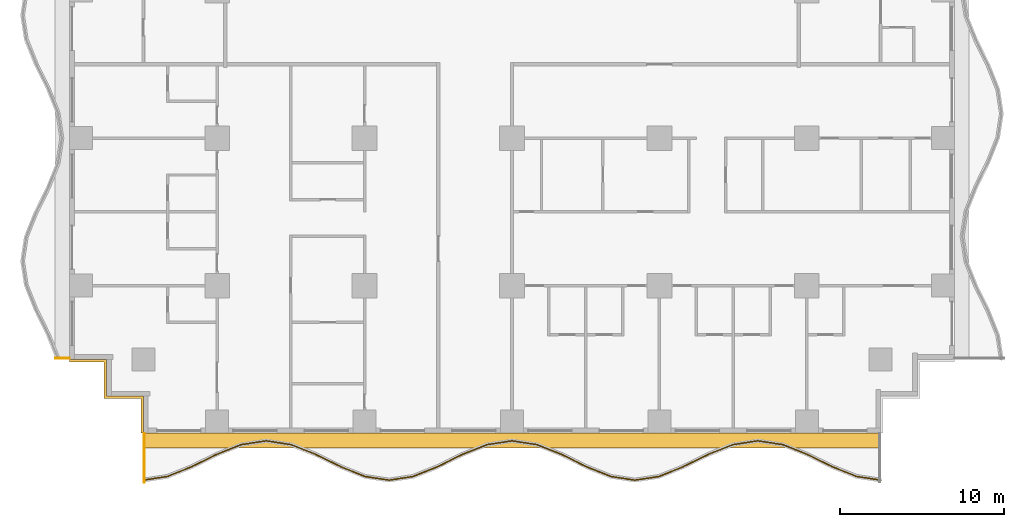
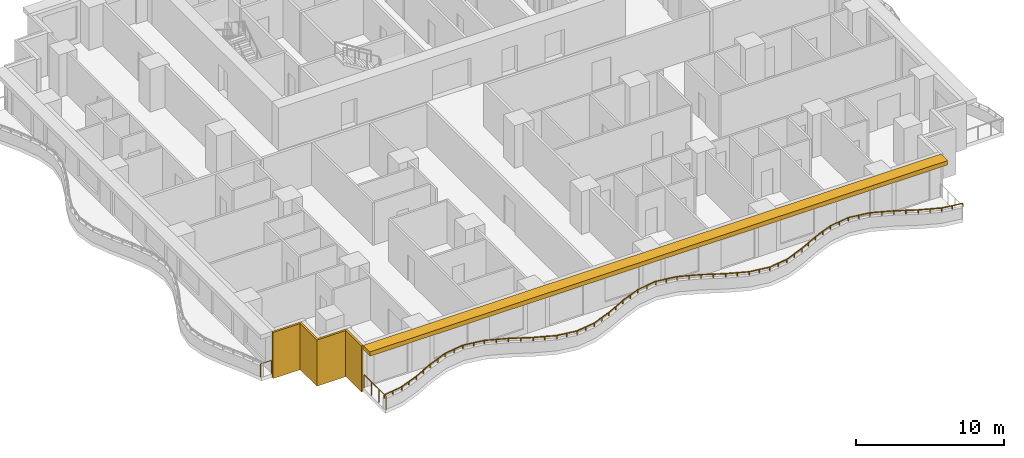
# One storey, part 7 of 13: 3 railings, 2 shading devices.
"""IFC4 building model written with IfcOpenShell, lengths in metres."""

from ifc_helpers import new_model, si_unit, direction, frame, origin, origin_2d, place, context, subcontext, project, spatial, polyline, rectangle, outline, extrude, material, layer, layer_set, type_object, element, save


model = new_model("IFC4")

# Units and contexts
model_context = context("Model", 3, precision=1e-05, world=origin(), true_north=direction((0.0, 1.0)))
body_context = subcontext(model_context, "Body", "Model", "MODEL_VIEW")
ifc_project = project(units=[si_unit("LENGTHUNIT", "METRE"), si_unit("AREAUNIT", "SQUARE_METRE"), si_unit("VOLUMEUNIT", "CUBIC_METRE"), si_unit("PLANEANGLEUNIT", "RADIAN"), si_unit("MASSUNIT", "GRAM", prefix="KILO")], contexts=[model_context])

# Site, building, storey
site_placement = place(None, origin())
site = spatial("IfcSite", under=ifc_project, at=site_placement, CompositionType="ELEMENT")
building_placement = place(site_placement, origin())
building = spatial("IfcBuilding", under=site, at=building_placement, Name="Orbiselva Terraces", CompositionType="ELEMENT")
storey_placement = place(building_placement, frame((0.0, 0.0, 53.0)))
storey = spatial("IfcBuildingStorey", under=building, at=storey_placement, Name="L13", CompositionType="ELEMENT", Elevation=53.0)

# Railings
ifc_material_1 = material(Name="Bonded two-ply safety glass balustrade, stainless steel posts", Category="steel")
railing_type_1 = type_object("IfcRailingType", Name="ENV-BALUSTRADE-1200", PredefinedType="BALUSTRADE", material=ifc_material_1)
railing_1_placement = place(storey_placement, frame((-22.518879, -25.376434, 0.9)))
element("IfcRailing", 1, at=railing_1_placement, inside=storey, type_object=railing_type_1, Name="Balcony balustrade L13 S", PredefinedType="BALUSTRADE", context=body_context, shape_type="SweptSolid", body=[
    extrude(outline(polyline([(0.028868, 0.0), (0.014434, 0.025), (-0.014434, 0.025), (-0.028868, 0.0), (-0.014434, -0.025), (0.014434, -0.025), (0.028868, 0.0)])), frame((0.0, 0.0, 0.275), z_axis=(0.988528552748, 0.151034103443, 0.0), x_axis=(-0.151034103443, 0.988528552748, 0.0)), (0.0, 0.0, 1.0), 1.503038),
    extrude(outline(polyline([(0.028868, 0.0), (0.014434, 0.025), (-0.014434, 0.025), (-0.028868, 0.0), (-0.014434, -0.025), (0.014434, -0.025), (0.028868, 0.0)])), frame((1.485796, 0.22701, 0.275), z_axis=(0.928476561272, 0.371391000387, 0.0), x_axis=(-0.371391000387, 0.928476561272, 0.0)), (0.0, 0.0, 1.0), 1.596261),
    extrude(outline(polyline([(0.028868, 0.0), (0.014434, 0.025), (-0.014434, 0.025), (-0.028868, 0.0), (-0.014434, -0.025), (0.014434, -0.025), (0.028868, 0.0)])), frame((2.967887, 0.819847, 0.275), z_axis=(0.896416672454, 0.443212307306, 0.0), x_axis=(-0.443212307306, 0.896416672454, 0.0)), (0.0, 0.0, 1.0), 1.673329),
    extrude(outline(polyline([(0.028868, 0.0), (0.014434, 0.025), (-0.014434, 0.025), (-0.028868, 0.0), (-0.014434, -0.025), (0.014434, -0.025), (0.028868, 0.0)])), frame((4.467887, 1.561487, 0.275), z_axis=(0.92847681744, 0.371390359967, 0.0), x_axis=(-0.371390359967, 0.92847681744, 0.0)), (0.0, 0.0, 1.0), 1.634838),
    extrude(outline(polyline([(0.028868, 0.0), (0.014434, 0.025), (-0.014434, 0.025), (-0.028868, 0.0), (-0.014434, -0.025), (0.014434, -0.025), (0.028868, 0.0)])), frame((5.985796, 2.16865, 0.275), z_axis=(0.988528536275, 0.151034211256, 0.0), x_axis=(-0.151034211256, 0.988528536275, 0.0)), (0.0, 0.0, 1.0), 1.550874),
    extrude(outline(polyline([(0.028868, 0.0), (0.014434, 0.025), (-0.014434, 0.025), (-0.028868, 0.0), (-0.014434, -0.025), (0.014434, -0.025), (0.028868, 0.0)])), frame((7.518879, 2.402885, 0.275), z_axis=(0.988528536275, -0.151034211256, 0.0), x_axis=(0.151034211256, 0.988528536275, 0.0)), (0.0, 0.0, 1.0), 1.550874),
    extrude(outline(polyline([(0.028868, 0.0), (0.014434, 0.025), (-0.014434, 0.025), (-0.028868, 0.0), (-0.014434, -0.025), (0.014434, -0.025), (0.028868, 0.0)])), frame((9.051962, 2.16865, 0.275), z_axis=(0.92847681744, -0.371390359967, 0.0), x_axis=(0.371390359967, 0.92847681744, 0.0)), (0.0, 0.0, 1.0), 1.634838),
    extrude(outline(polyline([(0.028868, 0.0), (0.014434, 0.025), (-0.014434, 0.025), (-0.028868, 0.0), (-0.014434, -0.025), (0.014434, -0.025), (0.028868, 0.0)])), frame((10.569871, 1.561487, 0.275), z_axis=(0.896416672454, -0.443212307306, 0.0), x_axis=(0.443212307306, 0.896416672454, 0.0)), (0.0, 0.0, 1.0), 1.673329),
    extrude(outline(polyline([(0.028868, 0.0), (0.014434, 0.025), (-0.014434, 0.025), (-0.028868, 0.0), (-0.014434, -0.025), (0.014434, -0.025), (0.028868, 0.0)])), frame((12.069871, 0.819847, 0.275), z_axis=(0.928476561272, -0.371391000387, 0.0), x_axis=(0.371391000387, 0.928476561272, 0.0)), (0.0, 0.0, 1.0), 1.596261),
    extrude(outline(polyline([(0.028868, 0.0), (0.014434, 0.025), (-0.014434, 0.025), (-0.028868, 0.0), (-0.014434, -0.025), (0.014434, -0.025), (0.028868, 0.0)])), frame((13.551962, 0.22701, 0.275), z_axis=(0.988528606898, -0.151033749027, 0.0), x_axis=(0.151033749027, 0.988528606898, 0.0)), (0.0, 0.0, 1.0), 1.48394),
    extrude(outline(polyline([(0.028868, 0.0), (0.014434, 0.025), (-0.014434, 0.025), (-0.028868, 0.0), (-0.014434, -0.025), (0.014434, -0.025), (0.028868, 0.0)])), frame((15.018879, 0.002885, 0.275), z_axis=(0.988528606898, 0.151033749027, 0.0), x_axis=(-0.151033749027, 0.988528606898, 0.0)), (0.0, 0.0, 1.0), 1.48394),
    extrude(outline(polyline([(0.028868, 0.0), (0.014434, 0.025), (-0.014434, 0.025), (-0.028868, 0.0), (-0.014434, -0.025), (0.014434, -0.025), (0.028868, 0.0)])), frame((16.485796, 0.22701, 0.275), z_axis=(0.928476561272, 0.371391000387, 0.0), x_axis=(-0.371391000387, 0.928476561272, 0.0)), (0.0, 0.0, 1.0), 1.596261),
    extrude(outline(polyline([(0.028868, 0.0), (0.014434, 0.025), (-0.014434, 0.025), (-0.028868, 0.0), (-0.014434, -0.025), (0.014434, -0.025), (0.028868, 0.0)])), frame((17.967887, 0.819847, 0.275), z_axis=(0.896416672454, 0.443212307306, 0.0), x_axis=(-0.443212307306, 0.896416672454, 0.0)), (0.0, 0.0, 1.0), 1.673329),
    extrude(outline(polyline([(0.028868, 0.0), (0.014434, 0.025), (-0.014434, 0.025), (-0.028868, 0.0), (-0.014434, -0.025), (0.014434, -0.025), (0.028868, 0.0)])), frame((19.467887, 1.561487, 0.275), z_axis=(0.92847681744, 0.371390359967, 0.0), x_axis=(-0.371390359967, 0.92847681744, 0.0)), (0.0, 0.0, 1.0), 1.634838),
    extrude(outline(polyline([(0.028868, 0.0), (0.014434, 0.025), (-0.014434, 0.025), (-0.028868, 0.0), (-0.014434, -0.025), (0.014434, -0.025), (0.028868, 0.0)])), frame((20.985796, 2.16865, 0.275), z_axis=(0.988528536275, 0.151034211256, 0.0), x_axis=(-0.151034211256, 0.988528536275, 0.0)), (0.0, 0.0, 1.0), 1.550874),
    extrude(outline(polyline([(0.028868, 0.0), (0.014434, 0.025), (-0.014434, 0.025), (-0.028868, 0.0), (-0.014434, -0.025), (0.014434, -0.025), (0.028868, 0.0)])), frame((22.518879, 2.402885, 0.275), z_axis=(0.988528536275, -0.151034211256, 0.0), x_axis=(0.151034211256, 0.988528536275, 0.0)), (0.0, 0.0, 1.0), 1.550874),
    extrude(outline(polyline([(0.028868, 0.0), (0.014434, 0.025), (-0.014434, 0.025), (-0.028868, 0.0), (-0.014434, -0.025), (0.014434, -0.025), (0.028868, 0.0)])), frame((24.051962, 2.16865, 0.275), z_axis=(0.92847681744, -0.371390359967, 0.0), x_axis=(0.371390359967, 0.92847681744, 0.0)), (0.0, 0.0, 1.0), 1.634838),
    extrude(outline(polyline([(0.028868, 0.0), (0.014434, 0.025), (-0.014434, 0.025), (-0.028868, 0.0), (-0.014434, -0.025), (0.014434, -0.025), (0.028868, 0.0)])), frame((25.569871, 1.561487, 0.275), z_axis=(0.896416672454, -0.443212307306, 0.0), x_axis=(0.443212307306, 0.896416672454, 0.0)), (0.0, 0.0, 1.0), 1.673329),
    extrude(outline(polyline([(0.028868, 0.0), (0.014434, 0.025), (-0.014434, 0.025), (-0.028868, 0.0), (-0.014434, -0.025), (0.014434, -0.025), (0.028868, 0.0)])), frame((27.069871, 0.819847, 0.275), z_axis=(0.928476561272, -0.371391000387, 0.0), x_axis=(0.371391000387, 0.928476561272, 0.0)), (0.0, 0.0, 1.0), 1.596261),
    extrude(outline(polyline([(0.028868, 0.0), (0.014434, 0.025), (-0.014434, 0.025), (-0.028868, 0.0), (-0.014434, -0.025), (0.014434, -0.025), (0.028868, 0.0)])), frame((28.551962, 0.22701, 0.275), z_axis=(0.988528606898, -0.151033749027, 0.0), x_axis=(0.151033749027, 0.988528606898, 0.0)), (0.0, 0.0, 1.0), 1.48394),
    extrude(outline(polyline([(0.028868, 0.0), (0.014434, 0.025), (-0.014434, 0.025), (-0.028868, 0.0), (-0.014434, -0.025), (0.014434, -0.025), (0.028868, 0.0)])), frame((30.018879, 0.002885, 0.275), z_axis=(0.988528606898, 0.151033749027, 0.0), x_axis=(-0.151033749027, 0.988528606898, 0.0)), (0.0, 0.0, 1.0), 1.48394),
    extrude(outline(polyline([(0.028868, 0.0), (0.014434, 0.025), (-0.014434, 0.025), (-0.028868, 0.0), (-0.014434, -0.025), (0.014434, -0.025), (0.028868, 0.0)])), frame((31.485796, 0.22701, 0.275), z_axis=(0.928476561272, 0.371391000387, 0.0), x_axis=(-0.371391000387, 0.928476561272, 0.0)), (0.0, 0.0, 1.0), 1.596261),
    extrude(outline(polyline([(0.028868, 0.0), (0.014434, 0.025), (-0.014434, 0.025), (-0.028868, 0.0), (-0.014434, -0.025), (0.014434, -0.025), (0.028868, 0.0)])), frame((32.967887, 0.819847, 0.275), z_axis=(0.896416672454, 0.443212307306, 0.0), x_axis=(-0.443212307306, 0.896416672454, 0.0)), (0.0, 0.0, 1.0), 1.673329),
    extrude(outline(polyline([(0.028868, 0.0), (0.014434, 0.025), (-0.014434, 0.025), (-0.028868, 0.0), (-0.014434, -0.025), (0.014434, -0.025), (0.028868, 0.0)])), frame((34.467887, 1.561487, 0.275), z_axis=(0.92847681744, 0.371390359967, 0.0), x_axis=(-0.371390359967, 0.92847681744, 0.0)), (0.0, 0.0, 1.0), 1.634838),
    extrude(outline(polyline([(0.028868, 0.0), (0.014434, 0.025), (-0.014434, 0.025), (-0.028868, 0.0), (-0.014434, -0.025), (0.014434, -0.025), (0.028868, 0.0)])), frame((35.985796, 2.16865, 0.275), z_axis=(0.988528536275, 0.151034211256, 0.0), x_axis=(-0.151034211256, 0.988528536275, 0.0)), (0.0, 0.0, 1.0), 1.550874),
    extrude(outline(polyline([(0.028868, 0.0), (0.014434, 0.025), (-0.014434, 0.025), (-0.028868, 0.0), (-0.014434, -0.025), (0.014434, -0.025), (0.028868, 0.0)])), frame((37.518879, 2.402885, 0.275), z_axis=(0.988528536275, -0.151034211256, 0.0), x_axis=(0.151034211256, 0.988528536275, 0.0)), (0.0, 0.0, 1.0), 1.550874),
    extrude(outline(polyline([(0.028868, 0.0), (0.014434, 0.025), (-0.014434, 0.025), (-0.028868, 0.0), (-0.014434, -0.025), (0.014434, -0.025), (0.028868, 0.0)])), frame((39.051962, 2.16865, 0.275), z_axis=(0.92847681744, -0.371390359967, 0.0), x_axis=(0.371390359967, 0.92847681744, 0.0)), (0.0, 0.0, 1.0), 1.634838),
    extrude(outline(polyline([(0.028868, 0.0), (0.014434, 0.025), (-0.014434, 0.025), (-0.028868, 0.0), (-0.014434, -0.025), (0.014434, -0.025), (0.028868, 0.0)])), frame((40.569871, 1.561487, 0.275), z_axis=(0.896416672454, -0.443212307306, 0.0), x_axis=(0.443212307306, 0.896416672454, 0.0)), (0.0, 0.0, 1.0), 1.673329),
    extrude(outline(polyline([(0.028868, 0.0), (0.014434, 0.025), (-0.014434, 0.025), (-0.028868, 0.0), (-0.014434, -0.025), (0.014434, -0.025), (0.028868, 0.0)])), frame((42.069871, 0.819847, 0.275), z_axis=(0.928476561272, -0.371391000387, 0.0), x_axis=(0.371391000387, 0.928476561272, 0.0)), (0.0, 0.0, 1.0), 1.596261),
    extrude(outline(polyline([(0.028868, 0.0), (0.014434, 0.025), (-0.014434, 0.025), (-0.028868, 0.0), (-0.014434, -0.025), (0.014434, -0.025), (0.028868, 0.0)])), frame((43.551962, 0.22701, 0.275), z_axis=(0.988528552748, -0.151034103443, 0.0), x_axis=(0.151034103443, 0.988528552748, 0.0)), (0.0, 0.0, 1.0), 1.503038),
    extrude(rectangle(XDim=0.05, YDim=0.05, at=origin_2d()), origin(), (0.0, 0.0, 1.0), 0.25),
    extrude(rectangle(XDim=0.05, YDim=0.05, at=origin_2d()), frame((0.742898, 0.113505, 0.0)), (0.0, 0.0, 1.0), 0.25),
    extrude(rectangle(XDim=0.05, YDim=0.05, at=origin_2d()), frame((1.485796, 0.22701, 0.0)), (0.0, 0.0, 1.0), 0.25),
    extrude(rectangle(XDim=0.05, YDim=0.05, at=origin_2d()), frame((2.226841, 0.523428, 0.0)), (0.0, 0.0, 1.0), 0.25),
    extrude(rectangle(XDim=0.05, YDim=0.05, at=origin_2d()), frame((2.967887, 0.819847, 0.0)), (0.0, 0.0, 1.0), 0.25),
    extrude(rectangle(XDim=0.05, YDim=0.05, at=origin_2d()), frame((3.717887, 1.190667, 0.0)), (0.0, 0.0, 1.0), 0.25),
    extrude(rectangle(XDim=0.05, YDim=0.05, at=origin_2d()), frame((4.467887, 1.561487, 0.0)), (0.0, 0.0, 1.0), 0.25),
    extrude(rectangle(XDim=0.05, YDim=0.05, at=origin_2d()), frame((5.226841, 1.865068, 0.0)), (0.0, 0.0, 1.0), 0.25),
    extrude(rectangle(XDim=0.05, YDim=0.05, at=origin_2d()), frame((5.985796, 2.16865, 0.0)), (0.0, 0.0, 1.0), 0.25),
    extrude(rectangle(XDim=0.05, YDim=0.05, at=origin_2d()), frame((6.752337, 2.285768, 0.0)), (0.0, 0.0, 1.0), 0.25),
    extrude(rectangle(XDim=0.05, YDim=0.05, at=origin_2d()), frame((7.518879, 2.402885, 0.0)), (0.0, 0.0, 1.0), 0.25),
    extrude(rectangle(XDim=0.05, YDim=0.05, at=origin_2d()), frame((8.28542, 2.285768, 0.0)), (0.0, 0.0, 1.0), 0.25),
    extrude(rectangle(XDim=0.05, YDim=0.05, at=origin_2d()), frame((9.051962, 2.16865, 0.0)), (0.0, 0.0, 1.0), 0.25),
    extrude(rectangle(XDim=0.05, YDim=0.05, at=origin_2d()), frame((9.810916, 1.865068, 0.0)), (0.0, 0.0, 1.0), 0.25),
    extrude(rectangle(XDim=0.05, YDim=0.05, at=origin_2d()), frame((10.569871, 1.561487, 0.0)), (0.0, 0.0, 1.0), 0.25),
    extrude(rectangle(XDim=0.05, YDim=0.05, at=origin_2d()), frame((11.319871, 1.190667, 0.0)), (0.0, 0.0, 1.0), 0.25),
    extrude(rectangle(XDim=0.05, YDim=0.05, at=origin_2d()), frame((12.069871, 0.819847, 0.0)), (0.0, 0.0, 1.0), 0.25),
    extrude(rectangle(XDim=0.05, YDim=0.05, at=origin_2d()), frame((12.810916, 0.523428, 0.0)), (0.0, 0.0, 1.0), 0.25),
    extrude(rectangle(XDim=0.05, YDim=0.05, at=origin_2d()), frame((13.551962, 0.22701, 0.0)), (0.0, 0.0, 1.0), 0.25),
    extrude(rectangle(XDim=0.05, YDim=0.05, at=origin_2d()), frame((14.28542, 0.114947, 0.0)), (0.0, 0.0, 1.0), 0.25),
    extrude(rectangle(XDim=0.05, YDim=0.05, at=origin_2d()), frame((15.018879, 0.002885, 0.0)), (0.0, 0.0, 1.0), 0.25),
    extrude(rectangle(XDim=0.05, YDim=0.05, at=origin_2d()), frame((15.752337, 0.114947, 0.0)), (0.0, 0.0, 1.0), 0.25),
    extrude(rectangle(XDim=0.05, YDim=0.05, at=origin_2d()), frame((16.485796, 0.22701, 0.0)), (0.0, 0.0, 1.0), 0.25),
    extrude(rectangle(XDim=0.05, YDim=0.05, at=origin_2d()), frame((17.226842, 0.523428, 0.0)), (0.0, 0.0, 1.0), 0.25),
    extrude(rectangle(XDim=0.05, YDim=0.05, at=origin_2d()), frame((17.967887, 0.819847, 0.0)), (0.0, 0.0, 1.0), 0.25),
    extrude(rectangle(XDim=0.05, YDim=0.05, at=origin_2d()), frame((18.717887, 1.190667, 0.0)), (0.0, 0.0, 1.0), 0.25),
    extrude(rectangle(XDim=0.05, YDim=0.05, at=origin_2d()), frame((19.467887, 1.561487, 0.0)), (0.0, 0.0, 1.0), 0.25),
    extrude(rectangle(XDim=0.05, YDim=0.05, at=origin_2d()), frame((20.226842, 1.865068, 0.0)), (0.0, 0.0, 1.0), 0.25),
    extrude(rectangle(XDim=0.05, YDim=0.05, at=origin_2d()), frame((20.985796, 2.16865, 0.0)), (0.0, 0.0, 1.0), 0.25),
    extrude(rectangle(XDim=0.05, YDim=0.05, at=origin_2d()), frame((21.752337, 2.285768, 0.0)), (0.0, 0.0, 1.0), 0.25),
    extrude(rectangle(XDim=0.05, YDim=0.05, at=origin_2d()), frame((22.518879, 2.402885, 0.0)), (0.0, 0.0, 1.0), 0.25),
    extrude(rectangle(XDim=0.05, YDim=0.05, at=origin_2d()), frame((23.28542, 2.285768, 0.0)), (0.0, 0.0, 1.0), 0.25),
    extrude(rectangle(XDim=0.05, YDim=0.05, at=origin_2d()), frame((24.051962, 2.16865, 0.0)), (0.0, 0.0, 1.0), 0.25),
    extrude(rectangle(XDim=0.05, YDim=0.05, at=origin_2d()), frame((24.810916, 1.865068, 0.0)), (0.0, 0.0, 1.0), 0.25),
    extrude(rectangle(XDim=0.05, YDim=0.05, at=origin_2d()), frame((25.569871, 1.561487, 0.0)), (0.0, 0.0, 1.0), 0.25),
    extrude(rectangle(XDim=0.05, YDim=0.05, at=origin_2d()), frame((26.319871, 1.190667, 0.0)), (0.0, 0.0, 1.0), 0.25),
    extrude(rectangle(XDim=0.05, YDim=0.05, at=origin_2d()), frame((27.069871, 0.819847, 0.0)), (0.0, 0.0, 1.0), 0.25),
    extrude(rectangle(XDim=0.05, YDim=0.05, at=origin_2d()), frame((27.810916, 0.523428, 0.0)), (0.0, 0.0, 1.0), 0.25),
    extrude(rectangle(XDim=0.05, YDim=0.05, at=origin_2d()), frame((28.551962, 0.22701, 0.0)), (0.0, 0.0, 1.0), 0.25),
    extrude(rectangle(XDim=0.05, YDim=0.05, at=origin_2d()), frame((29.28542, 0.114947, 0.0)), (0.0, 0.0, 1.0), 0.25),
    extrude(rectangle(XDim=0.05, YDim=0.05, at=origin_2d()), frame((30.018879, 0.002885, 0.0)), (0.0, 0.0, 1.0), 0.25),
    extrude(rectangle(XDim=0.05, YDim=0.05, at=origin_2d()), frame((30.752338, 0.114947, 0.0)), (0.0, 0.0, 1.0), 0.25),
    extrude(rectangle(XDim=0.05, YDim=0.05, at=origin_2d()), frame((31.485796, 0.22701, 0.0)), (0.0, 0.0, 1.0), 0.25),
    extrude(rectangle(XDim=0.05, YDim=0.05, at=origin_2d()), frame((32.226842, 0.523428, 0.0)), (0.0, 0.0, 1.0), 0.25),
    extrude(rectangle(XDim=0.05, YDim=0.05, at=origin_2d()), frame((32.967887, 0.819847, 0.0)), (0.0, 0.0, 1.0), 0.25),
    extrude(rectangle(XDim=0.05, YDim=0.05, at=origin_2d()), frame((33.717887, 1.190667, 0.0)), (0.0, 0.0, 1.0), 0.25),
    extrude(rectangle(XDim=0.05, YDim=0.05, at=origin_2d()), frame((34.467887, 1.561487, 0.0)), (0.0, 0.0, 1.0), 0.25),
    extrude(rectangle(XDim=0.05, YDim=0.05, at=origin_2d()), frame((35.226842, 1.865068, 0.0)), (0.0, 0.0, 1.0), 0.25),
    extrude(rectangle(XDim=0.05, YDim=0.05, at=origin_2d()), frame((35.985796, 2.16865, 0.0)), (0.0, 0.0, 1.0), 0.25),
    extrude(rectangle(XDim=0.05, YDim=0.05, at=origin_2d()), frame((36.752337, 2.285768, 0.0)), (0.0, 0.0, 1.0), 0.25),
    extrude(rectangle(XDim=0.05, YDim=0.05, at=origin_2d()), frame((37.518879, 2.402885, 0.0)), (0.0, 0.0, 1.0), 0.25),
    extrude(rectangle(XDim=0.05, YDim=0.05, at=origin_2d()), frame((38.28542, 2.285768, 0.0)), (0.0, 0.0, 1.0), 0.25),
    extrude(rectangle(XDim=0.05, YDim=0.05, at=origin_2d()), frame((39.051962, 2.16865, 0.0)), (0.0, 0.0, 1.0), 0.25),
    extrude(rectangle(XDim=0.05, YDim=0.05, at=origin_2d()), frame((39.810917, 1.865068, 0.0)), (0.0, 0.0, 1.0), 0.25),
    extrude(rectangle(XDim=0.05, YDim=0.05, at=origin_2d()), frame((40.569871, 1.561487, 0.0)), (0.0, 0.0, 1.0), 0.25),
    extrude(rectangle(XDim=0.05, YDim=0.05, at=origin_2d()), frame((41.319871, 1.190667, 0.0)), (0.0, 0.0, 1.0), 0.25),
    extrude(rectangle(XDim=0.05, YDim=0.05, at=origin_2d()), frame((42.069871, 0.819847, 0.0)), (0.0, 0.0, 1.0), 0.25),
    extrude(rectangle(XDim=0.05, YDim=0.05, at=origin_2d()), frame((42.810917, 0.523428, 0.0)), (0.0, 0.0, 1.0), 0.25),
    extrude(rectangle(XDim=0.05, YDim=0.05, at=origin_2d()), frame((43.551962, 0.22701, 0.0)), (0.0, 0.0, 1.0), 0.25),
    extrude(rectangle(XDim=0.05, YDim=0.05, at=origin_2d()), frame((44.29486, 0.113505, 0.0)), (0.0, 0.0, 1.0), 0.25),
    extrude(rectangle(XDim=0.05, YDim=0.05, at=origin_2d()), frame((45.037758, 0.0, 0.0)), (0.0, 0.0, 1.0), 0.25),
])
ifc_material_2 = material(Name="Stainless steel rail and posts", Category="steel")
railing_type_2 = type_object("IfcRailingType", Name="ENV-GUARD-1105", PredefinedType="BALUSTRADE", material=ifc_material_2)
railing_2_placement = place(storey_placement, frame((-22.44, -25.499621, 0.0)))
element("IfcRailing", 2, at=railing_2_placement, inside=storey, type_object=railing_type_2, Name="Balcony end guard L13 S", PredefinedType="BALUSTRADE", context=body_context, shape_type="SweptSolid", body=[
    extrude(outline(polyline([(0.028868, 0.0), (0.014434, 0.025), (-0.014434, 0.025), (-0.028868, 0.0), (-0.014434, -0.025), (0.014434, -0.025), (0.028868, 0.0)])), frame((0.0, 0.0, 1.08), z_axis=(0.0, 1.0, 0.0), x_axis=(-1.0, 0.0, 0.0)), (0.0, 0.0, 1.0), 2.974621),
    extrude(rectangle(XDim=0.05, YDim=0.05, at=origin_2d()), origin(), (0.0, 0.0, 1.0), 1.055),
    extrude(rectangle(XDim=0.05, YDim=0.05, at=origin_2d()), frame((0.0, 0.99154, 0.0)), (0.0, 0.0, 1.0), 1.055),
    extrude(rectangle(XDim=0.05, YDim=0.05, at=origin_2d()), frame((0.0, 1.983081, 0.0)), (0.0, 0.0, 1.0), 1.055),
    extrude(rectangle(XDim=0.05, YDim=0.05, at=origin_2d()), frame((0.0, 2.974621, 0.0)), (0.0, 0.0, 1.0), 1.055),
])
railing_3_placement = place(storey_placement, frame((-27.847212, -17.94, 0.0)))
element("IfcRailing", 3, at=railing_3_placement, inside=storey, type_object=railing_type_2, Name="Balcony end guard L13 W", PredefinedType="BALUSTRADE", context=body_context, shape_type="SweptSolid", body=[
    extrude(outline(polyline([(0.028868, 0.0), (0.014434, 0.025), (-0.014434, 0.025), (-0.028868, 0.0), (-0.014434, -0.025), (0.014434, -0.025), (0.028868, 0.0)])), frame((0.0, 0.0, 1.08), z_axis=(1.0, 0.0, 0.0), x_axis=(0.0, 1.0, 0.0)), (0.0, 0.0, 1.0), 0.822212),
    extrude(rectangle(XDim=0.05, YDim=0.05, at=origin_2d()), origin(), (0.0, 0.0, 1.0), 1.055),
    extrude(rectangle(XDim=0.05, YDim=0.05, at=origin_2d()), frame((0.822212, 0.0, 0.0)), (0.0, 0.0, 1.0), 1.055),
])

# Shading devices
ifc_material_3 = material(Name="Terracotta louvre screen", Category="masonry")
ifc_layer_1 = layer(ifc_material_3, 0.15)
ifc_layer_set_1 = layer_set([ifc_layer_1], Name="Terracotta louvre screen")
shading_device_type_1 = type_object("IfcShadingDeviceType", Name="ENV-SCREEN-150", PredefinedType="USERDEFINED", material=ifc_layer_set_1)
shading_device_1_placement = place(storey_placement, frame((0.0, 0.0, -0.3)))
element("IfcShadingDevice", 4, at=shading_device_1_placement, inside=storey, type_object=shading_device_type_1, Name="Louvre screen L13 SW", ObjectType="SCREEN", PredefinedType="USERDEFINED", context=body_context, shape_type="SweptSolid", body=[
    extrude(outline(polyline([(-27.0, -18.15), (-24.9, -18.15), (-24.9, -20.4), (-22.65, -20.4), (-22.65, -22.5), (-22.5, -22.5), (-22.5, -20.25), (-24.75, -20.25), (-24.75, -18.0), (-27.0, -18.0), (-27.0, -18.15)])), origin(), (0.0, 0.0, 1.0), 3.8),
])
ifc_material_4 = material(Name="Terracotta baguette sunshade", Category="masonry")
ifc_layer_2 = layer(ifc_material_4, 0.35)
ifc_layer_set_2 = layer_set([ifc_layer_2], Name="Terracotta baguette sunshade")
shading_device_type_2 = type_object("IfcShadingDeviceType", Name="ENV-SUNSHADE-900x350", PredefinedType="USERDEFINED", material=ifc_layer_set_2)
shading_device_2_placement = place(storey_placement, frame((0.0, 0.0, 3.15)))
element("IfcShadingDevice", 5, at=shading_device_2_placement, inside=storey, type_object=shading_device_type_2, Name="Sunshade band L13 S", ObjectType="SUNSHADE", PredefinedType="USERDEFINED", context=body_context, shape_type="SweptSolid", body=[
    extrude(outline(polyline([(-22.5, -23.4), (22.5, -23.4), (22.5, -22.5), (-22.5, -22.5), (-22.5, -23.4)])), origin(), (0.0, 0.0, 1.0), 0.35),
])

save(model, "model.ifc")
